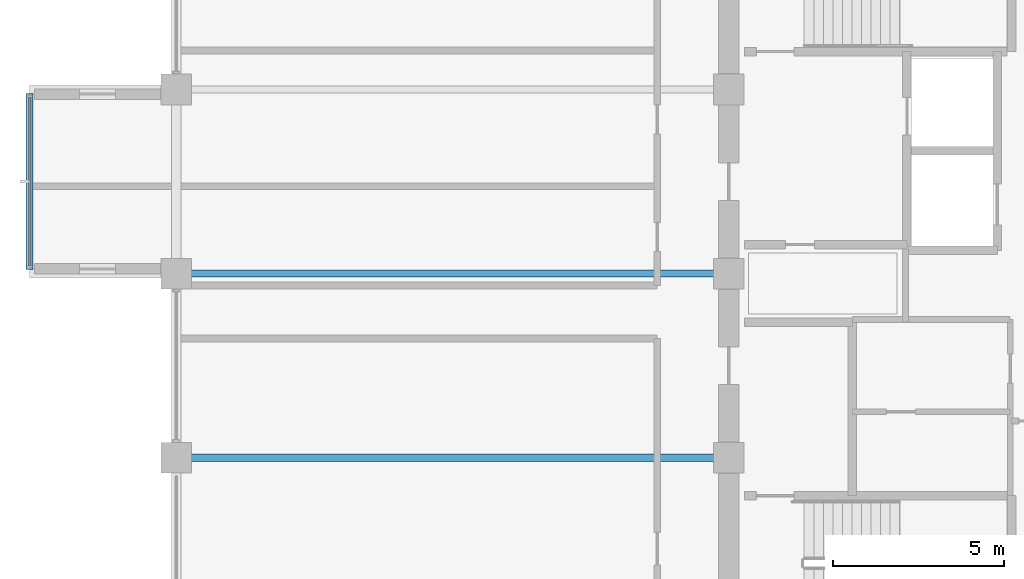
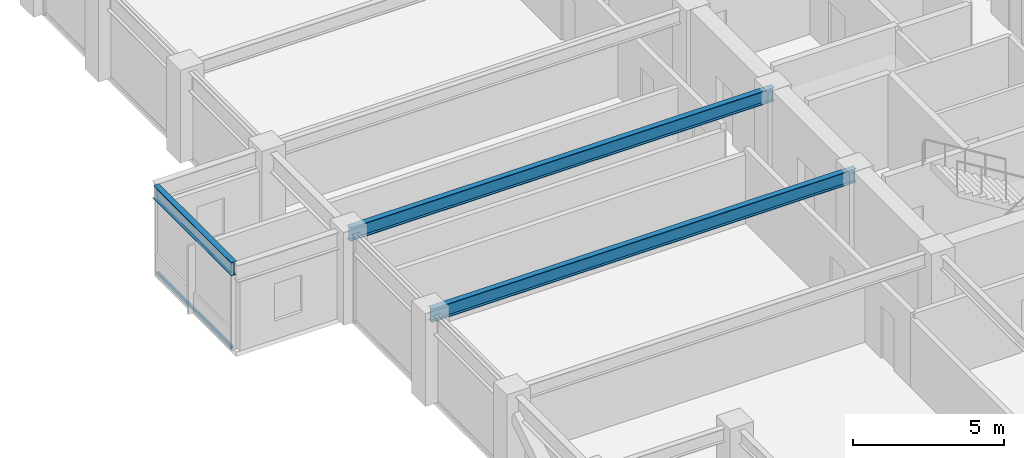
# One storey, part 6 of 28: 3 beams, 2 members, 1 element without a shape of its own.
"""IFC4 building model written with IfcOpenShell, lengths in metres."""

import ifcopenshell
import ifcopenshell.guid

model = None  # the IFC model being written
_history = None  # IfcOwnerHistory: only IFC2X3 demands one
_inside = {}  # id of a spatial element -> (the spatial element, [elements in it])
_under = {}  # id of a project, library or spatial element -> (it, [spatial elements below it])
_declared = {}  # id of a project -> (the project, [libraries it declares])
_typed = {}  # id of a type object -> (the type object, [elements of that type])
_made_of = {}  # id of a material, layer set ... -> (it, [elements and type objects made of it])


def new_model(schema):
    """Start an empty IFC model of exactly this schema.

    Asked for "IFC4X3", IfcOpenShell would pick the latest addendum, in which some entities
    have other attributes; the version numbers below select the first issue.
    IFC2X3 requires an IfcOwnerHistory on every rooted entity: one is made here for all.
    """
    global model, _history
    if schema == "IFC4X3":
        model = ifcopenshell.file(schema_version=(4, 3, 0, 0))
    else:
        model = ifcopenshell.file(schema=schema)
    _inside.clear()
    _under.clear()
    _declared.clear()
    _typed.clear()
    _made_of.clear()
    _history = None
    if model.schema == "IFC2X3":
        org = make("IfcOrganization", Name="unknown")
        user = make(
            "IfcPersonAndOrganization",
            ThePerson=make("IfcPerson", FamilyName="unknown"),
            TheOrganization=org,
        )
        app = make(
            "IfcApplication",
            ApplicationDeveloper=org,
            Version="unknown",
            ApplicationFullName="unknown",
            ApplicationIdentifier="unknown",
        )
        _history = make(
            "IfcOwnerHistory",
            OwningUser=user,
            OwningApplication=app,
            ChangeAction="ADDED",
            CreationDate=0,
        )
    return model


def make(cls, **values):
    """One entity of the class cls with the attributes given. An attribute that is None is left unset."""
    return model.create_entity(
        cls, **{name: value for name, value in values.items() if value is not None}
    )


def rooted(cls, **values):
    """An entity with a GlobalId (a new one), such as an element, a storey or a relation."""
    return make(cls, GlobalId=ifcopenshell.guid.new(), OwnerHistory=_history, **values)


def si_unit(unit_type, name, prefix=None):
    """IfcSIUnit, for example si_unit("LENGTHUNIT", "METRE", prefix="MILLI")."""
    return make("IfcSIUnit", UnitType=unit_type, Prefix=prefix, Name=name)


def assignment(units):
    """IfcUnitAssignment: the units of a project."""
    return None if units is None else make("IfcUnitAssignment", Units=units)


def point(xyz):
    """IfcCartesianPoint."""
    return None if xyz is None else make("IfcCartesianPoint", Coordinates=xyz)


def direction(xyz):
    """IfcDirection."""
    return None if xyz is None else make("IfcDirection", DirectionRatios=xyz)


def frame(location, z_axis=None, x_axis=None):
    """IfcAxis2Placement3D, a coordinate frame: its origin and axes. An axis left out is left unset."""
    return make(
        "IfcAxis2Placement3D",
        Location=point(location),
        Axis=direction(z_axis),
        RefDirection=direction(x_axis),
    )


def frame_2d(location, x_axis=None):
    """IfcAxis2Placement2D, a coordinate frame in the plane: its origin and x axis."""
    return make(
        "IfcAxis2Placement2D", Location=point(location), RefDirection=direction(x_axis)
    )


def origin():
    """The frame at (0, 0, 0) with its axes left unset."""
    return frame((0.0, 0.0, 0.0))


def origin_2d():
    """The frame at (0, 0) in the plane with its x axis left unset."""
    return frame_2d((0.0, 0.0))


def place(relative_to, where):
    """IfcLocalPlacement: puts the frame where relative to a parent placement (None: the world)."""
    return make(
        "IfcLocalPlacement", PlacementRelTo=relative_to, RelativePlacement=where
    )


def context(
    kind, dimensions, precision=None, world=None, true_north=None, identifier=None
):
    """IfcGeometricRepresentationContext, for example the 3D "Model" context."""
    return make(
        "IfcGeometricRepresentationContext",
        ContextIdentifier=identifier,
        ContextType=kind,
        CoordinateSpaceDimension=dimensions,
        Precision=precision,
        WorldCoordinateSystem=world,
        TrueNorth=true_north,
    )


def subcontext(parent, identifier, kind, view, scale=None):
    """IfcGeometricRepresentationSubContext, for example "Body" below "Model"."""
    return make(
        "IfcGeometricRepresentationSubContext",
        ContextIdentifier=identifier,
        ContextType=kind,
        ParentContext=parent,
        TargetScale=scale,
        TargetView=view,
    )


def project(units=None, contexts=None):
    """IfcProject with its units and contexts."""
    return rooted(
        "IfcProject",
        Name="project",
        RepresentationContexts=contexts,
        UnitsInContext=assignment(units),
    )


def spatial(cls, under=None, at=None, **own):
    """A site, building, storey or space (cls), placed at a placement, below another one or the project."""
    s = rooted(cls, ObjectPlacement=at, **own)
    if under is not None:
        _under.setdefault(under.id(), (under, []))[1].append(s)
    return s


def profile(cls, at=None, kind="AREA", **sizes):
    """A parametric profile (cls). Its sizes go by their IFC names, for example OverallWidth=200.0."""
    return make(cls, ProfileType=kind, Position=at, **sizes)


def hollow_rectangle(**sizes):
    """IfcRectangleHollowProfileDef."""
    return profile("IfcRectangleHollowProfileDef", **sizes)


def i_section(**sizes):
    """IfcIShapeProfileDef."""
    return profile("IfcIShapeProfileDef", **sizes)


def extrude(swept, where, along, depth):
    """IfcExtrudedAreaSolid: the profile swept, set in the frame where, extruded along a direction by depth."""
    return make(
        "IfcExtrudedAreaSolid",
        SweptArea=swept,
        Position=where,
        ExtrudedDirection=direction(along),
        Depth=depth,
    )


def shape(context_of_items, identifier, shape_type, items):
    """IfcShapeRepresentation: the items that make up one representation, for example the "Body"."""
    return make(
        "IfcShapeRepresentation",
        ContextOfItems=context_of_items,
        RepresentationIdentifier=identifier,
        RepresentationType=shape_type,
        Items=items,
    )


def material(Name=None, Category=None):
    """IfcMaterial."""
    return make("IfcMaterial", Name=Name, Category=Category)


def layer(
    of_material, thickness, ventilated=None, Name=None, Category=None, Priority=None
):
    """IfcMaterialLayer: one layer of a wall or slab, of a material (None: an air gap)."""
    return make(
        "IfcMaterialLayer",
        Material=of_material,
        LayerThickness=thickness,
        IsVentilated=ventilated,
        Name=Name,
        Category=Category,
        Priority=Priority,
    )


def layer_set(layers, Name=None):
    """IfcMaterialLayerSet."""
    return make("IfcMaterialLayerSet", MaterialLayers=layers, LayerSetName=Name)


def material_profile(
    of_material, cross_section, Name=None, Category=None, Priority=None
):
    """IfcMaterialProfile: a cross section and its material."""
    return make(
        "IfcMaterialProfile",
        Name=Name,
        Material=of_material,
        Profile=cross_section,
        Priority=Priority,
        Category=Category,
    )


def profile_set(profiles, Name=None, composite=None):
    """IfcMaterialProfileSet."""
    return make(
        "IfcMaterialProfileSet",
        Name=Name,
        MaterialProfiles=profiles,
        CompositeProfile=composite,
    )


def made_of(thing, what):
    """Note that an element or type object is made of a material, layer set ...; save() writes the relation."""
    if what is not None:
        _made_of.setdefault(what.id(), (what, []))[1].append(thing)
    return thing


def type_object(cls, material=None, **own):
    """A type object (cls), such as IfcWallType, which elements share."""
    return made_of(rooted(cls, **own), material)


def element(
    cls,
    number,
    at=None,
    inside=None,
    cuts=None,
    type_object=None,
    material=None,
    context=None,
    identifier="Body",
    shape_type=None,
    held_by="IfcProductDefinitionShape",
    body=None,
    shapes=None,
    **own,
):
    """One element of the class cls, such as IfcWall. Its Tag is "e" and its number.

    at: its placement. inside: the storey or other place that contains it. cuts: it is an
    opening in that element (IfcRelVoidsElement). A single representation is given by context,
    identifier, shape_type and body (its items); several are given by shapes. held_by: the class
    of the entity that holds the representations. save() writes the other relations.
    """
    e = rooted(cls, Tag="e%d" % number, ObjectPlacement=at, **own)
    if body is not None:
        shapes = [shape(context, identifier, shape_type, body)]
    if shapes is not None:
        e.Representation = make(held_by, Representations=shapes)
    if inside is not None:
        _inside.setdefault(inside.id(), (inside, []))[1].append(e)
    if cuts is not None:
        rooted(
            "IfcRelVoidsElement", RelatingBuildingElement=cuts, RelatedOpeningElement=e
        )
    if type_object is not None:
        _typed.setdefault(type_object.id(), (type_object, []))[1].append(e)
    return made_of(e, material)


def aggregate(whole, parts):
    """IfcRelAggregates: a whole, such as a stair, and the parts it consists of."""
    return rooted("IfcRelAggregates", RelatingObject=whole, RelatedObjects=parts)


def save(model, path):
    """Write the relations noted so far, then the file.

    IfcRelAggregates (storeys below a building ...), IfcRelContainedInSpatialStructure (elements
    in a storey), IfcRelDefinesByType, IfcRelAssociatesMaterial and IfcRelDeclares: one each for
    every whole, place, type object, material and project.
    """
    for whole, parts in _under.values():
        aggregate(whole, parts)
    for where, things in _inside.values():
        rooted(
            "IfcRelContainedInSpatialStructure",
            RelatedElements=things,
            RelatingStructure=where,
        )
    for kind, things in _typed.values():
        rooted("IfcRelDefinesByType", RelatedObjects=things, RelatingType=kind)
    for what, things in _made_of.values():
        rooted("IfcRelAssociatesMaterial", RelatedObjects=things, RelatingMaterial=what)
    for by, libraries in _declared.values():
        rooted("IfcRelDeclares", RelatingContext=by, RelatedDefinitions=libraries)
    model.write(path)


model = new_model("IFC4")

# Units and contexts
model_context = context("Model", 3, precision=1e-05, world=origin(), true_north=direction((0.0, 1.0)))
body_context = subcontext(model_context, "Body", "Model", "MODEL_VIEW")
ifc_project = project(units=[si_unit("LENGTHUNIT", "METRE"), si_unit("AREAUNIT", "SQUARE_METRE"), si_unit("VOLUMEUNIT", "CUBIC_METRE"), si_unit("PLANEANGLEUNIT", "RADIAN"), si_unit("MASSUNIT", "GRAM", prefix="KILO")], contexts=[model_context])

# Site, building, storey
site_placement = place(None, origin())
site = spatial("IfcSite", under=ifc_project, at=site_placement, CompositionType="ELEMENT")
building_placement = place(site_placement, origin())
building = spatial("IfcBuilding", under=site, at=building_placement, Name="Surkhivell Harbour Commons", CompositionType="ELEMENT")
storey_placement = place(building_placement, frame((0.0, 0.0, 174.75)))
storey = spatial("IfcBuildingStorey", under=building, at=storey_placement, Name="L45", CompositionType="ELEMENT", Elevation=174.75)

# Beams
ifc_material_1 = material(Name="Steel S355", Category="steel")
ifc_material_profile_1 = material_profile(ifc_material_1, i_section(OverallWidth=0.2119140625, OverallDepth=0.5439453125, WebThickness=0.0126953125, FlangeThickness=0.021240234375, at=origin_2d()), Name="UB533x210x122")
ifc_profile_set_1 = profile_set([ifc_material_profile_1], Name="Steel S355")
beam_type_1 = type_object("IfcBeamType", Name="BM-GRD-533A", PredefinedType="BEAM", material=ifc_profile_set_1)
for number, where, z_axis, x_axis, name in (
    (1, (-27.0, 0.0, 3.298095703125), (1.0, 0.0, 0.0), (0.0, 1.0, 0.0), "L45 Cantilever Back-Span Girder (-27.0,0.0)"),
    (2, (-27.0, -5.39990234375, 3.298095703125), (1.0, 0.0, 0.0), (0.0, 1.0, 0.0), "L45 Floor Girder (-27.0,-5.4)"),
):
    element("IfcBeam", number, at=place(storey_placement, frame(where, z_axis=z_axis, x_axis=x_axis)), inside=storey, type_object=beam_type_1, Name=name, PredefinedType="BEAM", context=body_context, shape_type="SweptSolid", body=[
        extrude(i_section(OverallWidth=0.2119140625, OverallDepth=0.5439453125, WebThickness=0.0126953125, FlangeThickness=0.021240234375, at=origin_2d()), origin(), (0.0, 0.0, 1.0), 16.199951171875),
    ])
ifc_material_profile_2 = material_profile(ifc_material_1, i_section(OverallWidth=0.2099609375, OverallDepth=0.537109375, WebThickness=0.0107421875, FlangeThickness=0.017333984375, at=origin_2d()), Name="UB533x210x101")
ifc_profile_set_2 = profile_set([ifc_material_profile_2], Name="Steel S355")
beam_type_2 = type_object("IfcBeamType", Name="BM-GRD-533B", PredefinedType="BEAM", material=ifc_profile_set_2)
beam_placement = place(storey_placement, frame((-31.300048828125, 0.1220703125, 3.301513671875), z_axis=(0.0, 1.0, 0.0), x_axis=(-1.0, 0.0, 0.0)))
element("IfcBeam", 3, at=beam_placement, inside=storey, type_object=beam_type_2, Name="L45 Box Rim Spandrel (-31.3,0.0)", PredefinedType="BEAM", context=body_context, shape_type="SweptSolid", body=[
    extrude(i_section(OverallWidth=0.2099609375, OverallDepth=0.537109375, WebThickness=0.0107421875, FlangeThickness=0.017333984375, at=origin_2d()), origin(), (0.0, 0.0, 1.0), 5.156005859375),
])

# Curtain wall, members
ifc_material_2 = material(Name="Anodised pale-metal aluminium and insulated glazing", Category="aluminium")
ifc_layer = layer(ifc_material_2, 0.1650390625)
ifc_layer_set = layer_set([ifc_layer], Name="Anodised pale-metal aluminium and insulated glazing")
curtain_wall_type = type_object("IfcCurtainWallType", Name="CW-SYS-BOX", PredefinedType="NOTDEFINED", material=ifc_layer_set)
curtain_wall_placement = place(storey_placement, origin())
curtain_wall = element("IfcCurtainWall", 4, at=curtain_wall_placement, inside=storey, type_object=curtain_wall_type, Name="L45 Curtain Wall CW-L45-BOX02", PredefinedType="NOTDEFINED")
ifc_material_3 = material(Name="Champagne anodised aluminium alloy 6063-T6", Category="aluminium")
ifc_material_profile_3 = material_profile(ifc_material_3, hollow_rectangle(XDim=0.070068359375, YDim=0.1298828125, WallThickness=0.00341796875, at=origin_2d()), Name="ALU-TRAN-70x130")
ifc_profile_set_3 = profile_set([ifc_material_profile_3], Name="Champagne anodised aluminium alloy 6063-T6")
member_type = type_object("IfcMemberType", Name="CWT-130", PredefinedType="USERDEFINED", material=ifc_profile_set_3)
member_1_placement = place(storey_placement, frame((-31.300048828125, 0.219970703125, 0.06494140625), z_axis=(0.0, 1.0, 0.0), x_axis=(-1.0, 0.0, 0.0)))
member_1 = element("IfcMember", 5, at=member_1_placement, type_object=member_type, Name="CW-BOX transom 1.1", ObjectType="TRANSOM", PredefinedType="USERDEFINED", context=body_context, shape_type="SweptSolid", body=[
    extrude(hollow_rectangle(XDim=0.070068359375, YDim=0.1298828125, WallThickness=0.00341796875, at=origin_2d()), origin(), (0.0, 0.0, 1.0), 4.9599609375),
])
member_2_placement = place(storey_placement, frame((-31.300048828125, 0.219970703125, 3.5048828125), z_axis=(0.0, 1.0, 0.0), x_axis=(-1.0, 0.0, 0.0)))
member_2 = element("IfcMember", 6, at=member_2_placement, type_object=member_type, Name="CW-BOX transom 1.2", ObjectType="TRANSOM", PredefinedType="USERDEFINED", context=body_context, shape_type="SweptSolid", body=[
    extrude(hollow_rectangle(XDim=0.070068359375, YDim=0.1298828125, WallThickness=0.00341796875, at=origin_2d()), origin(), (0.0, 0.0, 1.0), 4.9599609375),
])
aggregate(curtain_wall, [member_1, member_2])

save(model, "model.ifc")
